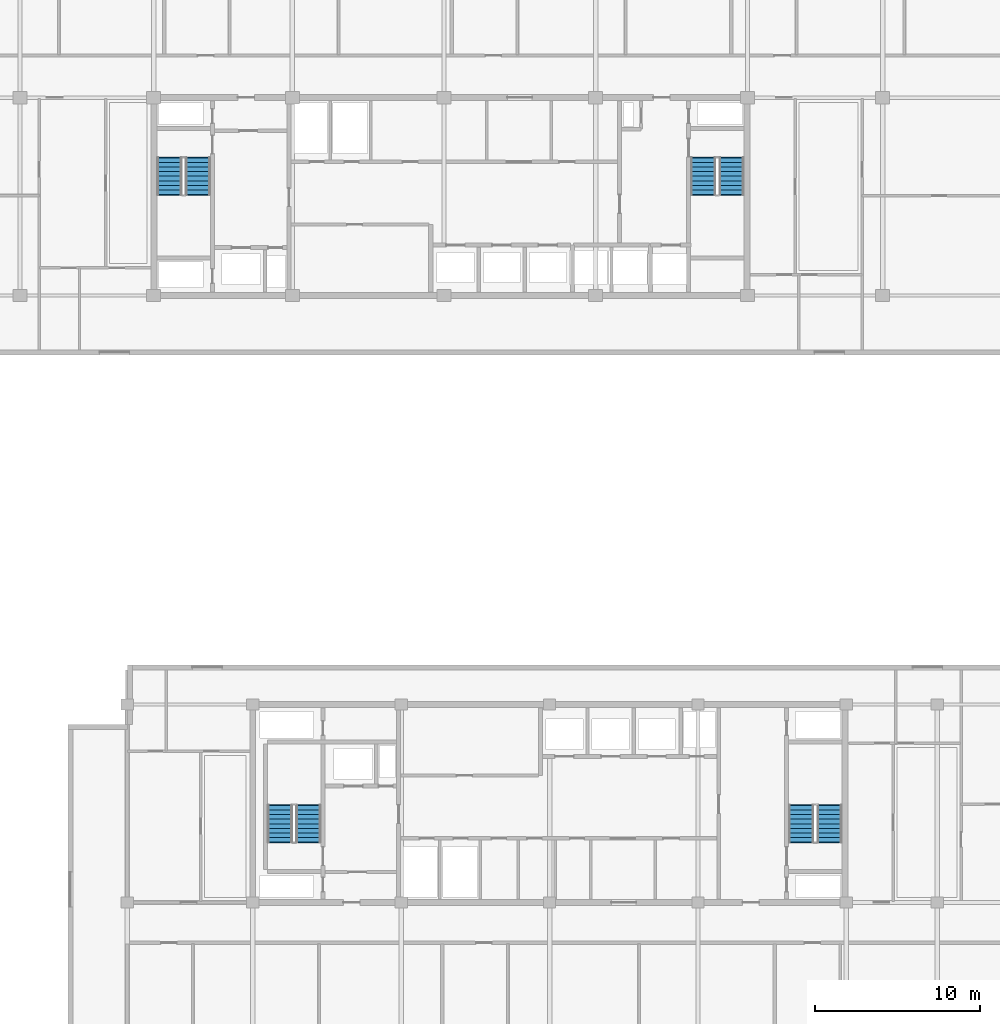
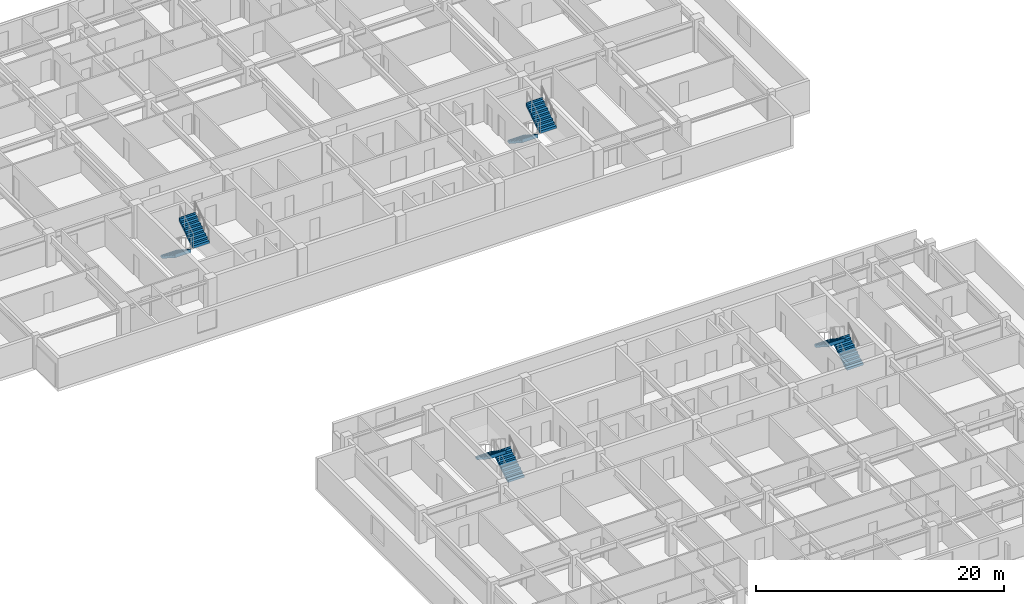
# One storey, part 18 of 24: 8 stair flights, 4 elements without a shape of their own.
"""IFC4 building model written with IfcOpenShell, lengths in metres."""

from ifc_helpers import new_model, si_unit, direction, frame, origin, place, context, subcontext, project, spatial, polyline, outline, extrude, material, type_object, element, aggregate, save


model = new_model("IFC4")

# Units and contexts
model_context = context("Model", 3, precision=1e-05, world=origin(), true_north=direction((0.0, 1.0)))
body_context = subcontext(model_context, "Body", "Model", "MODEL_VIEW")
ifc_project = project(units=[si_unit("LENGTHUNIT", "METRE"), si_unit("AREAUNIT", "SQUARE_METRE"), si_unit("VOLUMEUNIT", "CUBIC_METRE"), si_unit("PLANEANGLEUNIT", "RADIAN"), si_unit("MASSUNIT", "GRAM", prefix="KILO")], contexts=[model_context])

# Site, building, storey
site_placement = place(None, origin())
site = spatial("IfcSite", under=ifc_project, at=site_placement, CompositionType="ELEMENT")
building_placement = place(site_placement, origin())
building = spatial("IfcBuilding", under=site, at=building_placement, Name="Korimba Cascade Residences", CompositionType="ELEMENT")
storey_placement = place(building_placement, frame((0.0, 0.0, 168.60009765625)))
storey = spatial("IfcBuildingStorey", under=building, at=storey_placement, Name="L48", CompositionType="ELEMENT", Elevation=168.60009765625)

# Stair, stair flights
ifc_material = material(Name="Concrete C50/60", Category="concrete")
stair_type_1 = type_object("IfcStairType", Name="STR-W1-18R-1806", PredefinedType="HALF_TURN_STAIR", material=ifc_material)
stair_1_placement = place(storey_placement, origin())
stair_1 = element("IfcStair", 1, at=stair_1_placement, inside=storey, type_object=stair_type_1, Name="L48 Tower 1 West Fire Stair ST-W1", PredefinedType="HALF_TURN_STAIR")
stair_flight_type = type_object("IfcStairFlightType", Name="STF-DL-18R-1806-1520", PredefinedType="STRAIGHT", material=ifc_material)
stair_flight_1_placement = place(storey_placement, frame((77.06005859375, 63.550048828125, 0.0), z_axis=(0.0, 0.0, 1.0), x_axis=(0.0, -1.0, 0.0)))
stair_flight_1 = element("IfcStairFlight", 2, at=stair_flight_1_placement, type_object=stair_flight_type, Name="ST-W1 flight 1", NumberOfRisers=9, NumberOfTreads=8, PredefinedType="STRAIGHT", RiserHeight=0.180555556, TreadLength=0.28, context=body_context, shape_type="SweptSolid", body=[
    extrude(outline(polyline([(-0.0380859375, 0.0), (0.0, 0.1806640625), (0.280029296875, 0.1806640625), (0.280029296875, 0.361083984375), (0.56005859375, 0.361083984375), (0.56005859375, 0.541748046875), (0.840087890625, 0.541748046875), (0.840087890625, 0.72216796875), (1.1201171875, 0.72216796875), (1.1201171875, 0.90283203125), (1.39990234375, 0.90283203125), (1.39990234375, 1.083251953125), (1.679931640625, 1.083251953125), (1.679931640625, 1.263916015625), (1.9599609375, 1.263916015625), (1.9599609375, 1.4443359375), (2.239990234375, 1.4443359375), (2.239990234375, 1.625), (2.278076171875, 1.625), (2.278076171875, 1.26611328125), (0.276611328125, 0.0), (0.276611328125, -0.0380859375), (-0.0380859375, -0.0380859375), (-0.0380859375, 0.0)])), frame((0.0, 0.760009765625, 0.0), z_axis=(0.0, -1.0, 0.0), x_axis=(1.0, 0.0, 0.0)), (0.0, 0.0, 1.0), 1.52001953125),
])
stair_flight_2_placement = place(storey_placement, frame((78.780029296875, 61.31005859375, 1.625), z_axis=(0.0, 0.0, 1.0), x_axis=(0.0, 1.0, 0.0)))
stair_flight_2 = element("IfcStairFlight", 3, at=stair_flight_2_placement, type_object=stair_flight_type, Name="ST-W1 flight 2", NumberOfRisers=9, NumberOfTreads=8, PredefinedType="STRAIGHT", RiserHeight=0.180555556, TreadLength=0.28, context=body_context, shape_type="SweptSolid", body=[
    extrude(outline(polyline([(-0.0380859375, 0.0), (0.0, 0.1806640625), (0.280029296875, 0.1806640625), (0.280029296875, 0.361083984375), (0.56005859375, 0.361083984375), (0.56005859375, 0.541748046875), (0.840087890625, 0.541748046875), (0.840087890625, 0.72216796875), (1.1201171875, 0.72216796875), (1.1201171875, 0.90283203125), (1.39990234375, 0.90283203125), (1.39990234375, 1.083251953125), (1.679931640625, 1.083251953125), (1.679931640625, 1.263916015625), (1.9599609375, 1.263916015625), (1.9599609375, 1.4443359375), (2.239990234375, 1.4443359375), (2.239990234375, 1.625), (2.278076171875, 1.625), (2.278076171875, 1.26611328125), (0.276611328125, 0.0), (0.276611328125, -0.0380859375), (-0.0380859375, -0.0380859375), (-0.0380859375, 0.0)])), frame((0.0, 0.760009765625, 0.0), z_axis=(0.0, -1.0, 0.0), x_axis=(1.0, 0.0, 0.0)), (0.0, 0.0, 1.0), 1.52001953125),
])
aggregate(stair_1, [stair_flight_1, stair_flight_2])

stair_type_2 = type_object("IfcStairType", Name="STR-W2-18R-1806", PredefinedType="HALF_TURN_STAIR", material=ifc_material)
stair_2_placement = place(storey_placement, origin())
stair_2 = element("IfcStair", 4, at=stair_2_placement, inside=storey, type_object=stair_type_2, Name="L48 Tower 1 East Fire Stair ST-W2", PredefinedType="HALF_TURN_STAIR")
stair_flight_3_placement = place(storey_placement, frame((109.419921875, 63.550048828125, 0.0), z_axis=(0.0, 0.0, 1.0), x_axis=(0.0, -1.0, 0.0)))
stair_flight_3 = element("IfcStairFlight", 5, at=stair_flight_3_placement, type_object=stair_flight_type, Name="ST-W2 flight 1", NumberOfRisers=9, NumberOfTreads=8, PredefinedType="STRAIGHT", RiserHeight=0.180555556, TreadLength=0.28, context=body_context, shape_type="SweptSolid", body=[
    extrude(outline(polyline([(-0.0380859375, 0.0), (0.0, 0.1806640625), (0.280029296875, 0.1806640625), (0.280029296875, 0.361083984375), (0.56005859375, 0.361083984375), (0.56005859375, 0.541748046875), (0.840087890625, 0.541748046875), (0.840087890625, 0.72216796875), (1.1201171875, 0.72216796875), (1.1201171875, 0.90283203125), (1.39990234375, 0.90283203125), (1.39990234375, 1.083251953125), (1.679931640625, 1.083251953125), (1.679931640625, 1.263916015625), (1.9599609375, 1.263916015625), (1.9599609375, 1.4443359375), (2.239990234375, 1.4443359375), (2.239990234375, 1.625), (2.278076171875, 1.625), (2.278076171875, 1.26611328125), (0.276611328125, 0.0), (0.276611328125, -0.0380859375), (-0.0380859375, -0.0380859375), (-0.0380859375, 0.0)])), frame((0.0, 0.760009765625, 0.0), z_axis=(0.0, -1.0, 0.0), x_axis=(1.0, 0.0, 0.0)), (0.0, 0.0, 1.0), 1.52001953125),
])
stair_flight_4_placement = place(storey_placement, frame((111.139892578125, 61.31005859375, 1.625), z_axis=(0.0, 0.0, 1.0), x_axis=(0.0, 1.0, 0.0)))
stair_flight_4 = element("IfcStairFlight", 6, at=stair_flight_4_placement, type_object=stair_flight_type, Name="ST-W2 flight 2", NumberOfRisers=9, NumberOfTreads=8, PredefinedType="STRAIGHT", RiserHeight=0.180555556, TreadLength=0.28, context=body_context, shape_type="SweptSolid", body=[
    extrude(outline(polyline([(-0.0380859375, 0.0), (0.0, 0.1806640625), (0.280029296875, 0.1806640625), (0.280029296875, 0.361083984375), (0.56005859375, 0.361083984375), (0.56005859375, 0.541748046875), (0.840087890625, 0.541748046875), (0.840087890625, 0.72216796875), (1.1201171875, 0.72216796875), (1.1201171875, 0.90283203125), (1.39990234375, 0.90283203125), (1.39990234375, 1.083251953125), (1.679931640625, 1.083251953125), (1.679931640625, 1.263916015625), (1.9599609375, 1.263916015625), (1.9599609375, 1.4443359375), (2.239990234375, 1.4443359375), (2.239990234375, 1.625), (2.278076171875, 1.625), (2.278076171875, 1.26611328125), (0.276611328125, 0.0), (0.276611328125, -0.0380859375), (-0.0380859375, -0.0380859375), (-0.0380859375, 0.0)])), frame((0.0, 0.760009765625, 0.0), z_axis=(0.0, -1.0, 0.0), x_axis=(1.0, 0.0, 0.0)), (0.0, 0.0, 1.0), 1.52001953125),
])
aggregate(stair_2, [stair_flight_3, stair_flight_4])

stair_type_3 = type_object("IfcStairType", Name="STR-E1-18R-1806", PredefinedType="HALF_TURN_STAIR", material=ifc_material)
stair_3_placement = place(storey_placement, origin())
stair_3 = element("IfcStair", 7, at=stair_3_placement, inside=storey, type_object=stair_type_3, Name="L48 Tower 2 West Fire Stair ST-E1", PredefinedType="HALF_TURN_STAIR")
stair_flight_5_placement = place(storey_placement, frame((85.47998046875, 22.050048828125, 0.0), z_axis=(0.0, 0.0, 1.0), x_axis=(0.0, 1.0, 0.0)))
stair_flight_5 = element("IfcStairFlight", 8, at=stair_flight_5_placement, type_object=stair_flight_type, Name="ST-E1 flight 1", NumberOfRisers=9, NumberOfTreads=8, PredefinedType="STRAIGHT", RiserHeight=0.180555556, TreadLength=0.28, context=body_context, shape_type="SweptSolid", body=[
    extrude(outline(polyline([(-0.0380859375, 0.0), (0.0, 0.1806640625), (0.280029296875, 0.1806640625), (0.280029296875, 0.361083984375), (0.56005859375, 0.361083984375), (0.56005859375, 0.541748046875), (0.840087890625, 0.541748046875), (0.840087890625, 0.72216796875), (1.1201171875, 0.72216796875), (1.1201171875, 0.90283203125), (1.39990234375, 0.90283203125), (1.39990234375, 1.083251953125), (1.679931640625, 1.083251953125), (1.679931640625, 1.263916015625), (1.9599609375, 1.263916015625), (1.9599609375, 1.4443359375), (2.239990234375, 1.4443359375), (2.239990234375, 1.625), (2.278076171875, 1.625), (2.278076171875, 1.26611328125), (0.276611328125, 0.0), (0.276611328125, -0.0380859375), (-0.0380859375, -0.0380859375), (-0.0380859375, 0.0)])), frame((0.0, 0.760009765625, 0.0), z_axis=(0.0, -1.0, 0.0), x_axis=(1.0, 0.0, 0.0)), (0.0, 0.0, 1.0), 1.52001953125),
])
stair_flight_6_placement = place(storey_placement, frame((83.760009765625, 24.2900390625, 1.625), z_axis=(0.0, 0.0, 1.0), x_axis=(0.0, -1.0, 0.0)))
stair_flight_6 = element("IfcStairFlight", 9, at=stair_flight_6_placement, type_object=stair_flight_type, Name="ST-E1 flight 2", NumberOfRisers=9, NumberOfTreads=8, PredefinedType="STRAIGHT", RiserHeight=0.180555556, TreadLength=0.28, context=body_context, shape_type="SweptSolid", body=[
    extrude(outline(polyline([(-0.0380859375, 0.0), (0.0, 0.1806640625), (0.280029296875, 0.1806640625), (0.280029296875, 0.361083984375), (0.56005859375, 0.361083984375), (0.56005859375, 0.541748046875), (0.840087890625, 0.541748046875), (0.840087890625, 0.72216796875), (1.1201171875, 0.72216796875), (1.1201171875, 0.90283203125), (1.39990234375, 0.90283203125), (1.39990234375, 1.083251953125), (1.679931640625, 1.083251953125), (1.679931640625, 1.263916015625), (1.9599609375, 1.263916015625), (1.9599609375, 1.4443359375), (2.239990234375, 1.4443359375), (2.239990234375, 1.625), (2.278076171875, 1.625), (2.278076171875, 1.26611328125), (0.276611328125, 0.0), (0.276611328125, -0.0380859375), (-0.0380859375, -0.0380859375), (-0.0380859375, 0.0)])), frame((0.0, 0.760009765625, 0.0), z_axis=(0.0, -1.0, 0.0), x_axis=(1.0, 0.0, 0.0)), (0.0, 0.0, 1.0), 1.52001953125),
])
aggregate(stair_3, [stair_flight_5, stair_flight_6])

stair_type_4 = type_object("IfcStairType", Name="STR-E2-18R-1806", PredefinedType="HALF_TURN_STAIR", material=ifc_material)
stair_4_placement = place(storey_placement, origin())
stair_4 = element("IfcStair", 10, at=stair_4_placement, inside=storey, type_object=stair_type_4, Name="L48 Tower 2 East Fire Stair ST-E2", PredefinedType="HALF_TURN_STAIR")
stair_flight_7_placement = place(storey_placement, frame((117.080078125, 22.050048828125, 0.0), z_axis=(0.0, 0.0, 1.0), x_axis=(0.0, 1.0, 0.0)))
stair_flight_7 = element("IfcStairFlight", 11, at=stair_flight_7_placement, type_object=stair_flight_type, Name="ST-E2 flight 1", NumberOfRisers=9, NumberOfTreads=8, PredefinedType="STRAIGHT", RiserHeight=0.180555556, TreadLength=0.28, context=body_context, shape_type="SweptSolid", body=[
    extrude(outline(polyline([(-0.0380859375, 0.0), (0.0, 0.1806640625), (0.280029296875, 0.1806640625), (0.280029296875, 0.361083984375), (0.56005859375, 0.361083984375), (0.56005859375, 0.541748046875), (0.840087890625, 0.541748046875), (0.840087890625, 0.72216796875), (1.1201171875, 0.72216796875), (1.1201171875, 0.90283203125), (1.39990234375, 0.90283203125), (1.39990234375, 1.083251953125), (1.679931640625, 1.083251953125), (1.679931640625, 1.263916015625), (1.9599609375, 1.263916015625), (1.9599609375, 1.4443359375), (2.239990234375, 1.4443359375), (2.239990234375, 1.625), (2.278076171875, 1.625), (2.278076171875, 1.26611328125), (0.276611328125, 0.0), (0.276611328125, -0.0380859375), (-0.0380859375, -0.0380859375), (-0.0380859375, 0.0)])), frame((0.0, 0.760009765625, 0.0), z_axis=(0.0, -1.0, 0.0), x_axis=(1.0, 0.0, 0.0)), (0.0, 0.0, 1.0), 1.52001953125),
])
stair_flight_8_placement = place(storey_placement, frame((115.360107421875, 24.2900390625, 1.625), z_axis=(0.0, 0.0, 1.0), x_axis=(0.0, -1.0, 0.0)))
stair_flight_8 = element("IfcStairFlight", 12, at=stair_flight_8_placement, type_object=stair_flight_type, Name="ST-E2 flight 2", NumberOfRisers=9, NumberOfTreads=8, PredefinedType="STRAIGHT", RiserHeight=0.180555556, TreadLength=0.28, context=body_context, shape_type="SweptSolid", body=[
    extrude(outline(polyline([(-0.0380859375, 0.0), (0.0, 0.1806640625), (0.280029296875, 0.1806640625), (0.280029296875, 0.361083984375), (0.56005859375, 0.361083984375), (0.56005859375, 0.541748046875), (0.840087890625, 0.541748046875), (0.840087890625, 0.72216796875), (1.1201171875, 0.72216796875), (1.1201171875, 0.90283203125), (1.39990234375, 0.90283203125), (1.39990234375, 1.083251953125), (1.679931640625, 1.083251953125), (1.679931640625, 1.263916015625), (1.9599609375, 1.263916015625), (1.9599609375, 1.4443359375), (2.239990234375, 1.4443359375), (2.239990234375, 1.625), (2.278076171875, 1.625), (2.278076171875, 1.26611328125), (0.276611328125, 0.0), (0.276611328125, -0.0380859375), (-0.0380859375, -0.0380859375), (-0.0380859375, 0.0)])), frame((0.0, 0.760009765625, 0.0), z_axis=(0.0, -1.0, 0.0), x_axis=(1.0, 0.0, 0.0)), (0.0, 0.0, 1.0), 1.52001953125),
])
aggregate(stair_4, [stair_flight_7, stair_flight_8])

save(model, "model.ifc")
